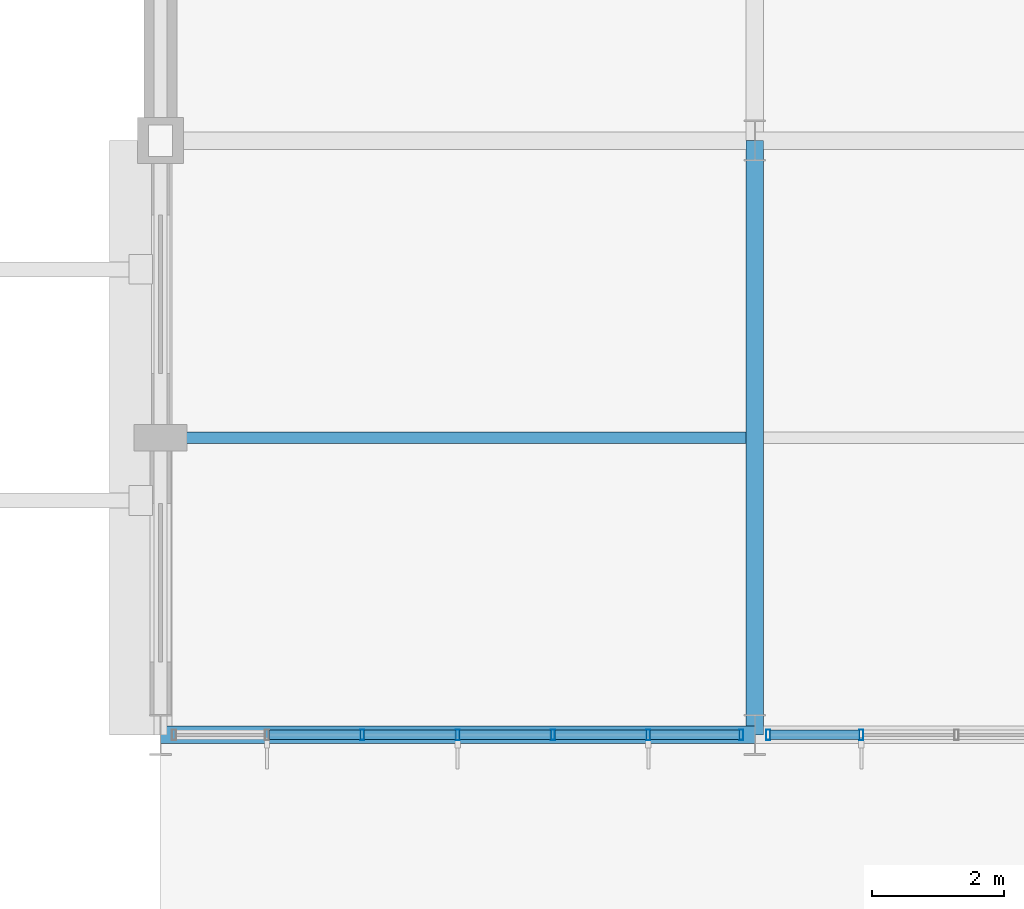
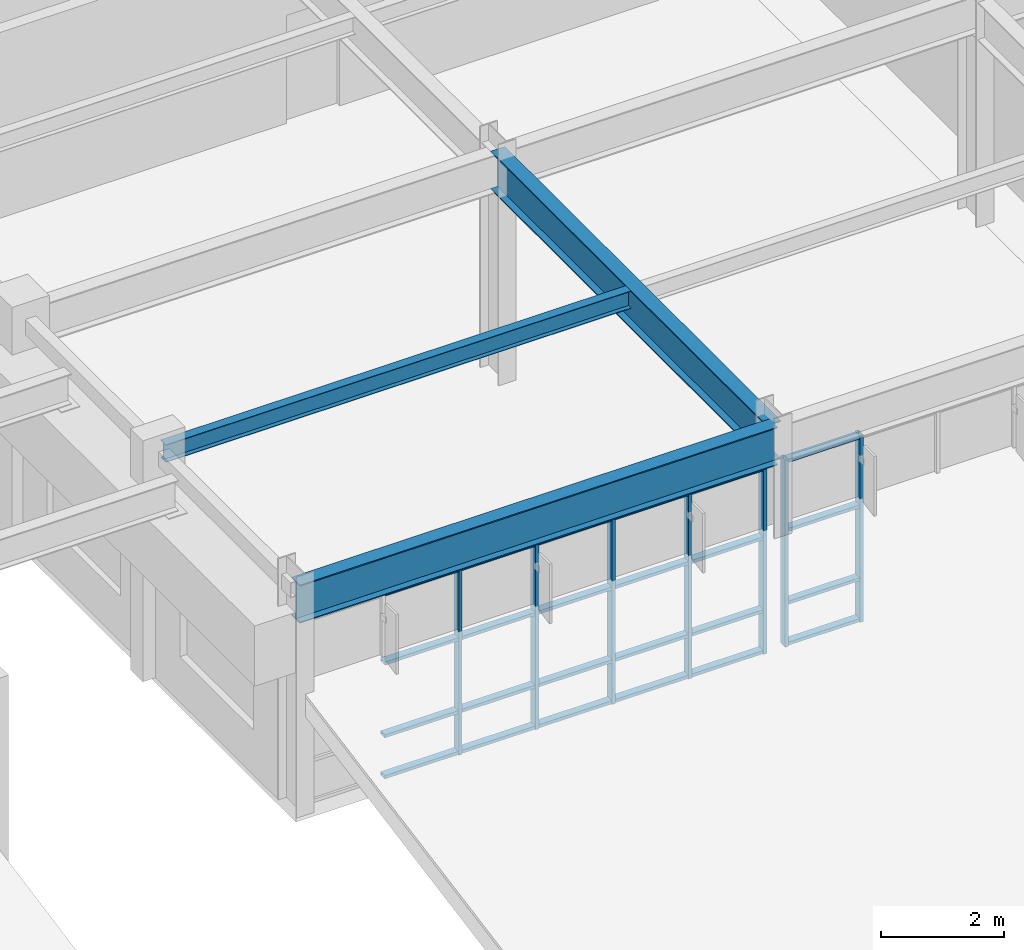
# One storey, part 62 of 104: 31 members, 3 beams, 2 elements without a shape of their own.
"""IFC4 building model written with IfcOpenShell, lengths in metres."""

from ifc_helpers import new_model, si_unit, direction, frame, origin, origin_2d, place, context, subcontext, project, spatial, hollow_rectangle, i_section, extrude, material, layer, layer_set, material_profile, profile_set, type_object, element, aggregate, save


model = new_model("IFC4")

# Units and contexts
model_context = context("Model", 3, precision=1e-05, world=origin(), true_north=direction((0.0, 1.0)))
body_context = subcontext(model_context, "Body", "Model", "MODEL_VIEW")
ifc_project = project(units=[si_unit("LENGTHUNIT", "METRE"), si_unit("AREAUNIT", "SQUARE_METRE"), si_unit("VOLUMEUNIT", "CUBIC_METRE"), si_unit("PLANEANGLEUNIT", "RADIAN"), si_unit("MASSUNIT", "GRAM", prefix="KILO")], contexts=[model_context])

# Site, building, storey
site_placement = place(None, origin())
site = spatial("IfcSite", under=ifc_project, at=site_placement, CompositionType="ELEMENT")
building_placement = place(site_placement, origin())
building = spatial("IfcBuilding", under=site, at=building_placement, Name="Ventoquebrada Cableway Terminal", CompositionType="ELEMENT")
storey_placement = place(building_placement, frame((0.0, 0.0, 4.800048828125)))
storey = spatial("IfcBuildingStorey", under=building, at=storey_placement, Name="L01", CompositionType="ELEMENT", Elevation=4.800048828125)

# Beams
ifc_material_1 = material(Name="Steel ASTM A992 Grade 50", Category="steel")
ifc_material_profile_1 = material_profile(ifc_material_1, i_section(OverallWidth=0.26708984375, OverallDepth=0.761962890625, WebThickness=0.014404296875, FlangeThickness=0.021484375, at=origin_2d()), Name="W30X116")
ifc_profile_set_1 = profile_set([ifc_material_profile_1], Name="Steel ASTM A992 Grade 50")
beam_type_1 = type_object("IfcBeamType", Name="BM-ST05", PredefinedType="BEAM", material=ifc_profile_set_1)
for number, where, z_axis, x_axis, name in (
    (1, (129.0, 77.0, 4.093994140625), (1.0, 0.0, 0.0), (0.0, 1.0, 0.0), "Primary frame girder FBM-0827"),
    (2, (138.0, 77.0, 4.093994140625), (0.0, 1.0, 0.0), (-1.0, 0.0, 0.0), "Primary frame girder FBM-0847"),
):
    element("IfcBeam", number, at=place(storey_placement, frame(where, z_axis=z_axis, x_axis=x_axis)), inside=storey, type_object=beam_type_1, Name=name, PredefinedType="BEAM", context=body_context, shape_type="SweptSolid", body=[
        extrude(i_section(OverallWidth=0.26708984375, OverallDepth=0.761962890625, WebThickness=0.014404296875, FlangeThickness=0.021484375, at=origin_2d()), origin(), (0.0, 0.0, 1.0), 9.0),
    ])

# Curtain wall, members
ifc_material_2 = material(Name="Anodized thermally-broken aluminium", Category="aluminium")
ifc_layer = layer(ifc_material_2, 0.159912109375)
ifc_layer_set = layer_set([ifc_layer], Name="Anodized thermally-broken aluminium")
curtain_wall_type = type_object("IfcCurtainWallType", Name="CW-T30", PredefinedType="USERDEFINED", material=ifc_layer_set)
curtain_wall_1_placement = place(storey_placement, origin())
curtain_wall_1 = element("IfcCurtainWall", 3, at=curtain_wall_1_placement, inside=storey, type_object=curtain_wall_type, Name="Unitised glazed curtain wall CW-073", ObjectType="UNITISED CURTAIN WALL", PredefinedType="USERDEFINED")
ifc_material_profile_2 = material_profile(ifc_material_2, hollow_rectangle(XDim=0.06494140625, YDim=0.159912109375, WallThickness=0.00390625, at=origin_2d()), Name="CW-MUL-65X160")
ifc_profile_set_2 = profile_set([ifc_material_profile_2], Name="Anodized thermally-broken aluminium")
member_type_1 = type_object("IfcMemberType", Name="CWM-01", PredefinedType="MULLION", material=ifc_profile_set_2)
member_1_placement = place(storey_placement, frame((132.055908203125, 77.0, -0.008056640625), z_axis=(0.0, 0.0, 1.0), x_axis=(1.0, 0.0, 0.0)))
member_1 = element("IfcMember", 4, at=member_1_placement, type_object=member_type_1, Name="Curtain wall mullion FML-0342", PredefinedType="MULLION", context=body_context, shape_type="SweptSolid", body=[
    extrude(hollow_rectangle(XDim=0.06494140625, YDim=0.159912109375, WallThickness=0.00390625, at=origin_2d()), origin(), (0.0, 0.0, 1.0), 3.720947265625),
])
member_2_placement = place(storey_placement, frame((133.5, 77.0, -0.008056640625), z_axis=(0.0, 0.0, 1.0), x_axis=(1.0, 0.0, 0.0)))
member_2 = element("IfcMember", 5, at=member_2_placement, type_object=member_type_1, Name="Curtain wall mullion FML-0343", PredefinedType="MULLION", context=body_context, shape_type="SweptSolid", body=[
    extrude(hollow_rectangle(XDim=0.06494140625, YDim=0.159912109375, WallThickness=0.00390625, at=origin_2d()), origin(), (0.0, 0.0, 1.0), 3.720947265625),
])
member_3_placement = place(storey_placement, frame((134.944091796875, 77.0, -0.008056640625), z_axis=(0.0, 0.0, 1.0), x_axis=(1.0, 0.0, 0.0)))
member_3 = element("IfcMember", 6, at=member_3_placement, type_object=member_type_1, Name="Curtain wall mullion FML-0344", PredefinedType="MULLION", context=body_context, shape_type="SweptSolid", body=[
    extrude(hollow_rectangle(XDim=0.06494140625, YDim=0.159912109375, WallThickness=0.00390625, at=origin_2d()), origin(), (0.0, 0.0, 1.0), 3.720947265625),
])
member_4_placement = place(storey_placement, frame((136.386962890625, 77.0, -0.008056640625), z_axis=(0.0, 0.0, 1.0), x_axis=(1.0, 0.0, 0.0)))
member_4 = element("IfcMember", 7, at=member_4_placement, type_object=member_type_1, Name="Curtain wall mullion FML-0345", PredefinedType="MULLION", context=body_context, shape_type="SweptSolid", body=[
    extrude(hollow_rectangle(XDim=0.06494140625, YDim=0.159912109375, WallThickness=0.00390625, at=origin_2d()), origin(), (0.0, 0.0, 1.0), 3.720947265625),
])
member_5_placement = place(storey_placement, frame((137.7958984375, 77.0, -0.008056640625), z_axis=(0.0, 0.0, 1.0), x_axis=(1.0, 0.0, 0.0)))
member_5 = element("IfcMember", 8, at=member_5_placement, type_object=member_type_1, Name="Curtain wall mullion FML-0346", PredefinedType="MULLION", context=body_context, shape_type="SweptSolid", body=[
    extrude(hollow_rectangle(XDim=0.06494140625, YDim=0.159912109375, WallThickness=0.00390625, at=origin_2d()), origin(), (0.0, 0.0, 1.0), 3.720947265625),
])

curtain_wall_2_placement = place(storey_placement, origin())
curtain_wall_2 = element("IfcCurtainWall", 9, at=curtain_wall_2_placement, inside=storey, type_object=curtain_wall_type, Name="Unitised glazed curtain wall CW-074", ObjectType="UNITISED CURTAIN WALL", PredefinedType="USERDEFINED")
member_6_placement = place(storey_placement, frame((138.2041015625, 77.0, -0.008056640625), z_axis=(0.0, 0.0, 1.0), x_axis=(1.0, 0.0, 0.0)))
member_6 = element("IfcMember", 10, at=member_6_placement, type_object=member_type_1, Name="Curtain wall mullion FML-0347", PredefinedType="MULLION", context=body_context, shape_type="SweptSolid", body=[
    extrude(hollow_rectangle(XDim=0.06494140625, YDim=0.159912109375, WallThickness=0.00390625, at=origin_2d()), origin(), (0.0, 0.0, 1.0), 3.720947265625),
])
member_7_placement = place(storey_placement, frame((139.613037109375, 77.0, -0.008056640625), z_axis=(0.0, 0.0, 1.0), x_axis=(1.0, 0.0, 0.0)))
member_7 = element("IfcMember", 11, at=member_7_placement, type_object=member_type_1, Name="Curtain wall mullion FML-0348", PredefinedType="MULLION", context=body_context, shape_type="SweptSolid", body=[
    extrude(hollow_rectangle(XDim=0.06494140625, YDim=0.159912109375, WallThickness=0.00390625, at=origin_2d()), origin(), (0.0, 0.0, 1.0), 3.720947265625),
])

# Member
ifc_material_profile_3 = material_profile(ifc_material_2, hollow_rectangle(XDim=0.06494140625, YDim=0.139892578125, WallThickness=0.00390625, at=origin_2d()), Name="CW-TRN-65X140")
ifc_profile_set_3 = profile_set([ifc_material_profile_3], Name="Anodized thermally-broken aluminium")
member_type_2 = type_object("IfcMemberType", Name="CWT-01", PredefinedType="USERDEFINED", material=ifc_profile_set_3)
member_8_placement = place(storey_placement, frame((130.639892578125, 77.0, 0.034912109375), z_axis=(1.0, 0.0, 0.0), x_axis=(0.0, 0.0, 1.0)))
member_8 = element("IfcMember", 12, at=member_8_placement, type_object=member_type_2, Name="Curtain wall transom FTR-0980", ObjectType="TRANSOM", PredefinedType="USERDEFINED", context=body_context, shape_type="SweptSolid", body=[
    extrude(hollow_rectangle(XDim=0.06494140625, YDim=0.139892578125, WallThickness=0.00390625, at=origin_2d()), origin(), (0.0, 0.0, 1.0), 1.38916015625),
])

member_9_placement = place(storey_placement, frame((130.639892578125, 77.0, 0.849853515625), z_axis=(1.0, 0.0, 0.0), x_axis=(0.0, 0.0, 1.0)))
member_9 = element("IfcMember", 13, at=member_9_placement, type_object=member_type_2, Name="Curtain wall transom FTR-0981", ObjectType="TRANSOM", PredefinedType="USERDEFINED", context=body_context, shape_type="SweptSolid", body=[
    extrude(hollow_rectangle(XDim=0.06494140625, YDim=0.139892578125, WallThickness=0.00390625, at=origin_2d()), origin(), (0.0, 0.0, 1.0), 1.38916015625),
])

member_10_placement = place(storey_placement, frame((130.639892578125, 77.0, 2.299072265625), z_axis=(1.0, 0.0, 0.0), x_axis=(0.0, 0.0, 1.0)))
member_10 = element("IfcMember", 14, at=member_10_placement, type_object=member_type_2, Name="Curtain wall transom FTR-0982", ObjectType="TRANSOM", PredefinedType="USERDEFINED", context=body_context, shape_type="SweptSolid", body=[
    extrude(hollow_rectangle(XDim=0.06494140625, YDim=0.139892578125, WallThickness=0.00390625, at=origin_2d()), origin(), (0.0, 0.0, 1.0), 1.38916015625),
])

member_11_placement = place(storey_placement, frame((130.639892578125, 77.0, 3.6728515625), z_axis=(1.0, 0.0, 0.0), x_axis=(0.0, 0.0, 1.0)))
member_11 = element("IfcMember", 15, at=member_11_placement, type_object=member_type_2, Name="Curtain wall transom FTR-0983", ObjectType="TRANSOM", PredefinedType="USERDEFINED", context=body_context, shape_type="SweptSolid", body=[
    extrude(hollow_rectangle(XDim=0.06494140625, YDim=0.139892578125, WallThickness=0.00390625, at=origin_2d()), origin(), (0.0, 0.0, 1.0), 1.38916015625),
])

member_12_placement = place(storey_placement, frame((132.083984375, 77.0, 0.034912109375), z_axis=(1.0, 0.0, 0.0), x_axis=(0.0, 0.0, 1.0)))
member_12 = element("IfcMember", 16, at=member_12_placement, type_object=member_type_2, Name="Curtain wall transom FTR-0984", ObjectType="TRANSOM", PredefinedType="USERDEFINED", context=body_context, shape_type="SweptSolid", body=[
    extrude(hollow_rectangle(XDim=0.06494140625, YDim=0.139892578125, WallThickness=0.00390625, at=origin_2d()), origin(), (0.0, 0.0, 1.0), 1.387939453125),
])

member_13_placement = place(storey_placement, frame((132.083984375, 77.0, 0.849853515625), z_axis=(1.0, 0.0, 0.0), x_axis=(0.0, 0.0, 1.0)))
member_13 = element("IfcMember", 17, at=member_13_placement, type_object=member_type_2, Name="Curtain wall transom FTR-0985", ObjectType="TRANSOM", PredefinedType="USERDEFINED", context=body_context, shape_type="SweptSolid", body=[
    extrude(hollow_rectangle(XDim=0.06494140625, YDim=0.139892578125, WallThickness=0.00390625, at=origin_2d()), origin(), (0.0, 0.0, 1.0), 1.387939453125),
])

member_14_placement = place(storey_placement, frame((132.083984375, 77.0, 2.299072265625), z_axis=(1.0, 0.0, 0.0), x_axis=(0.0, 0.0, 1.0)))
member_14 = element("IfcMember", 18, at=member_14_placement, type_object=member_type_2, Name="Curtain wall transom FTR-0986", ObjectType="TRANSOM", PredefinedType="USERDEFINED", context=body_context, shape_type="SweptSolid", body=[
    extrude(hollow_rectangle(XDim=0.06494140625, YDim=0.139892578125, WallThickness=0.00390625, at=origin_2d()), origin(), (0.0, 0.0, 1.0), 1.387939453125),
])

member_15_placement = place(storey_placement, frame((132.083984375, 77.0, 3.6728515625), z_axis=(1.0, 0.0, 0.0), x_axis=(0.0, 0.0, 1.0)))
member_15 = element("IfcMember", 19, at=member_15_placement, type_object=member_type_2, Name="Curtain wall transom FTR-0987", ObjectType="TRANSOM", PredefinedType="USERDEFINED", context=body_context, shape_type="SweptSolid", body=[
    extrude(hollow_rectangle(XDim=0.06494140625, YDim=0.139892578125, WallThickness=0.00390625, at=origin_2d()), origin(), (0.0, 0.0, 1.0), 1.387939453125),
])

member_16_placement = place(storey_placement, frame((133.528076171875, 77.0, 0.034912109375), z_axis=(1.0, 0.0, 0.0), x_axis=(0.0, 0.0, 1.0)))
member_16 = element("IfcMember", 20, at=member_16_placement, type_object=member_type_2, Name="Curtain wall transom FTR-0988", ObjectType="TRANSOM", PredefinedType="USERDEFINED", context=body_context, shape_type="SweptSolid", body=[
    extrude(hollow_rectangle(XDim=0.06494140625, YDim=0.139892578125, WallThickness=0.00390625, at=origin_2d()), origin(), (0.0, 0.0, 1.0), 1.387939453125),
])

member_17_placement = place(storey_placement, frame((133.528076171875, 77.0, 0.849853515625), z_axis=(1.0, 0.0, 0.0), x_axis=(0.0, 0.0, 1.0)))
member_17 = element("IfcMember", 21, at=member_17_placement, type_object=member_type_2, Name="Curtain wall transom FTR-0989", ObjectType="TRANSOM", PredefinedType="USERDEFINED", context=body_context, shape_type="SweptSolid", body=[
    extrude(hollow_rectangle(XDim=0.06494140625, YDim=0.139892578125, WallThickness=0.00390625, at=origin_2d()), origin(), (0.0, 0.0, 1.0), 1.387939453125),
])

member_18_placement = place(storey_placement, frame((133.528076171875, 77.0, 2.299072265625), z_axis=(1.0, 0.0, 0.0), x_axis=(0.0, 0.0, 1.0)))
member_18 = element("IfcMember", 22, at=member_18_placement, type_object=member_type_2, Name="Curtain wall transom FTR-0990", ObjectType="TRANSOM", PredefinedType="USERDEFINED", context=body_context, shape_type="SweptSolid", body=[
    extrude(hollow_rectangle(XDim=0.06494140625, YDim=0.139892578125, WallThickness=0.00390625, at=origin_2d()), origin(), (0.0, 0.0, 1.0), 1.387939453125),
])

member_19_placement = place(storey_placement, frame((133.528076171875, 77.0, 3.6728515625), z_axis=(1.0, 0.0, 0.0), x_axis=(0.0, 0.0, 1.0)))
member_19 = element("IfcMember", 23, at=member_19_placement, type_object=member_type_2, Name="Curtain wall transom FTR-0991", ObjectType="TRANSOM", PredefinedType="USERDEFINED", context=body_context, shape_type="SweptSolid", body=[
    extrude(hollow_rectangle(XDim=0.06494140625, YDim=0.139892578125, WallThickness=0.00390625, at=origin_2d()), origin(), (0.0, 0.0, 1.0), 1.387939453125),
])

member_20_placement = place(storey_placement, frame((134.970947265625, 77.0, 0.034912109375), z_axis=(1.0, 0.0, 0.0), x_axis=(0.0, 0.0, 1.0)))
member_20 = element("IfcMember", 24, at=member_20_placement, type_object=member_type_2, Name="Curtain wall transom FTR-0992", ObjectType="TRANSOM", PredefinedType="USERDEFINED", context=body_context, shape_type="SweptSolid", body=[
    extrude(hollow_rectangle(XDim=0.06494140625, YDim=0.139892578125, WallThickness=0.00390625, at=origin_2d()), origin(), (0.0, 0.0, 1.0), 1.38916015625),
])

member_21_placement = place(storey_placement, frame((134.970947265625, 77.0, 0.849853515625), z_axis=(1.0, 0.0, 0.0), x_axis=(0.0, 0.0, 1.0)))
member_21 = element("IfcMember", 25, at=member_21_placement, type_object=member_type_2, Name="Curtain wall transom FTR-0993", ObjectType="TRANSOM", PredefinedType="USERDEFINED", context=body_context, shape_type="SweptSolid", body=[
    extrude(hollow_rectangle(XDim=0.06494140625, YDim=0.139892578125, WallThickness=0.00390625, at=origin_2d()), origin(), (0.0, 0.0, 1.0), 1.38916015625),
])

member_22_placement = place(storey_placement, frame((134.970947265625, 77.0, 2.299072265625), z_axis=(1.0, 0.0, 0.0), x_axis=(0.0, 0.0, 1.0)))
member_22 = element("IfcMember", 26, at=member_22_placement, type_object=member_type_2, Name="Curtain wall transom FTR-0994", ObjectType="TRANSOM", PredefinedType="USERDEFINED", context=body_context, shape_type="SweptSolid", body=[
    extrude(hollow_rectangle(XDim=0.06494140625, YDim=0.139892578125, WallThickness=0.00390625, at=origin_2d()), origin(), (0.0, 0.0, 1.0), 1.38916015625),
])

member_23_placement = place(storey_placement, frame((134.970947265625, 77.0, 3.6728515625), z_axis=(1.0, 0.0, 0.0), x_axis=(0.0, 0.0, 1.0)))
member_23 = element("IfcMember", 27, at=member_23_placement, type_object=member_type_2, Name="Curtain wall transom FTR-0995", ObjectType="TRANSOM", PredefinedType="USERDEFINED", context=body_context, shape_type="SweptSolid", body=[
    extrude(hollow_rectangle(XDim=0.06494140625, YDim=0.139892578125, WallThickness=0.00390625, at=origin_2d()), origin(), (0.0, 0.0, 1.0), 1.38916015625),
])

member_24_placement = place(storey_placement, frame((136.4150390625, 77.0, 0.034912109375), z_axis=(1.0, 0.0, 0.0), x_axis=(0.0, 0.0, 1.0)))
member_24 = element("IfcMember", 28, at=member_24_placement, type_object=member_type_2, Name="Curtain wall transom FTR-0996", ObjectType="TRANSOM", PredefinedType="USERDEFINED", context=body_context, shape_type="SweptSolid", body=[
    extrude(hollow_rectangle(XDim=0.06494140625, YDim=0.139892578125, WallThickness=0.00390625, at=origin_2d()), origin(), (0.0, 0.0, 1.0), 1.35302734375),
])

member_25_placement = place(storey_placement, frame((136.4150390625, 77.0, 0.849853515625), z_axis=(1.0, 0.0, 0.0), x_axis=(0.0, 0.0, 1.0)))
member_25 = element("IfcMember", 29, at=member_25_placement, type_object=member_type_2, Name="Curtain wall transom FTR-0997", ObjectType="TRANSOM", PredefinedType="USERDEFINED", context=body_context, shape_type="SweptSolid", body=[
    extrude(hollow_rectangle(XDim=0.06494140625, YDim=0.139892578125, WallThickness=0.00390625, at=origin_2d()), origin(), (0.0, 0.0, 1.0), 1.35302734375),
])

member_26_placement = place(storey_placement, frame((136.4150390625, 77.0, 2.299072265625), z_axis=(1.0, 0.0, 0.0), x_axis=(0.0, 0.0, 1.0)))
member_26 = element("IfcMember", 30, at=member_26_placement, type_object=member_type_2, Name="Curtain wall transom FTR-0998", ObjectType="TRANSOM", PredefinedType="USERDEFINED", context=body_context, shape_type="SweptSolid", body=[
    extrude(hollow_rectangle(XDim=0.06494140625, YDim=0.139892578125, WallThickness=0.00390625, at=origin_2d()), origin(), (0.0, 0.0, 1.0), 1.35302734375),
])

member_27_placement = place(storey_placement, frame((136.4150390625, 77.0, 3.6728515625), z_axis=(1.0, 0.0, 0.0), x_axis=(0.0, 0.0, 1.0)))
member_27 = element("IfcMember", 31, at=member_27_placement, type_object=member_type_2, Name="Curtain wall transom FTR-0999", ObjectType="TRANSOM", PredefinedType="USERDEFINED", context=body_context, shape_type="SweptSolid", body=[
    extrude(hollow_rectangle(XDim=0.06494140625, YDim=0.139892578125, WallThickness=0.00390625, at=origin_2d()), origin(), (0.0, 0.0, 1.0), 1.35302734375),
])

aggregate(curtain_wall_1, [member_1, member_2, member_3, member_4, member_5, member_8, member_9, member_10, member_11, member_12, member_13, member_14, member_15, member_16, member_17, member_18, member_19, member_20, member_21, member_22, member_23, member_24, member_25, member_26, member_27])

member_28_placement = place(storey_placement, frame((138.23193359375, 77.0, 0.034912109375), z_axis=(1.0, 0.0, 0.0), x_axis=(0.0, 0.0, 1.0)))
member_28 = element("IfcMember", 32, at=member_28_placement, type_object=member_type_2, Name="Curtain wall transom FTR-1000", ObjectType="TRANSOM", PredefinedType="USERDEFINED", context=body_context, shape_type="SweptSolid", body=[
    extrude(hollow_rectangle(XDim=0.06494140625, YDim=0.139892578125, WallThickness=0.00390625, at=origin_2d()), origin(), (0.0, 0.0, 1.0), 1.35302734375),
])

member_29_placement = place(storey_placement, frame((138.23193359375, 77.0, 0.849853515625), z_axis=(1.0, 0.0, 0.0), x_axis=(0.0, 0.0, 1.0)))
member_29 = element("IfcMember", 33, at=member_29_placement, type_object=member_type_2, Name="Curtain wall transom FTR-1001", ObjectType="TRANSOM", PredefinedType="USERDEFINED", context=body_context, shape_type="SweptSolid", body=[
    extrude(hollow_rectangle(XDim=0.06494140625, YDim=0.139892578125, WallThickness=0.00390625, at=origin_2d()), origin(), (0.0, 0.0, 1.0), 1.35302734375),
])

member_30_placement = place(storey_placement, frame((138.23193359375, 77.0, 2.299072265625), z_axis=(1.0, 0.0, 0.0), x_axis=(0.0, 0.0, 1.0)))
member_30 = element("IfcMember", 34, at=member_30_placement, type_object=member_type_2, Name="Curtain wall transom FTR-1002", ObjectType="TRANSOM", PredefinedType="USERDEFINED", context=body_context, shape_type="SweptSolid", body=[
    extrude(hollow_rectangle(XDim=0.06494140625, YDim=0.139892578125, WallThickness=0.00390625, at=origin_2d()), origin(), (0.0, 0.0, 1.0), 1.35302734375),
])

member_31_placement = place(storey_placement, frame((138.23193359375, 77.0, 3.6728515625), z_axis=(1.0, 0.0, 0.0), x_axis=(0.0, 0.0, 1.0)))
member_31 = element("IfcMember", 35, at=member_31_placement, type_object=member_type_2, Name="Curtain wall transom FTR-1003", ObjectType="TRANSOM", PredefinedType="USERDEFINED", context=body_context, shape_type="SweptSolid", body=[
    extrude(hollow_rectangle(XDim=0.06494140625, YDim=0.139892578125, WallThickness=0.00390625, at=origin_2d()), origin(), (0.0, 0.0, 1.0), 1.35302734375),
])

aggregate(curtain_wall_2, [member_6, member_7, member_28, member_29, member_30, member_31])

# Beam
ifc_material_profile_4 = material_profile(ifc_material_1, i_section(OverallWidth=0.1708984375, OverallDepth=0.35107421875, WebThickness=0.0068359375, FlangeThickness=0.009765625, at=origin_2d()), Name="W14X30")
ifc_profile_set_4 = profile_set([ifc_material_profile_4], Name="Steel ASTM A992 Grade 50")
beam_type_2 = type_object("IfcBeamType", Name="JST-ST04", PredefinedType="JOIST", material=ifc_profile_set_4)
beam_placement = place(storey_placement, frame((129.10009765625, 81.5, 4.300048828125), z_axis=(1.0, 0.0, 0.0), x_axis=(0.0, 1.0, 0.0)))
element("IfcBeam", 36, at=beam_placement, inside=storey, type_object=beam_type_2, Name="Secondary floor joist JB-026", PredefinedType="JOIST", context=body_context, shape_type="SweptSolid", body=[
    extrude(i_section(OverallWidth=0.1708984375, OverallDepth=0.35107421875, WebThickness=0.0068359375, FlangeThickness=0.009765625, at=origin_2d()), origin(), (0.0, 0.0, 1.0), 8.766845703125),
])

save(model, "model.ifc")
